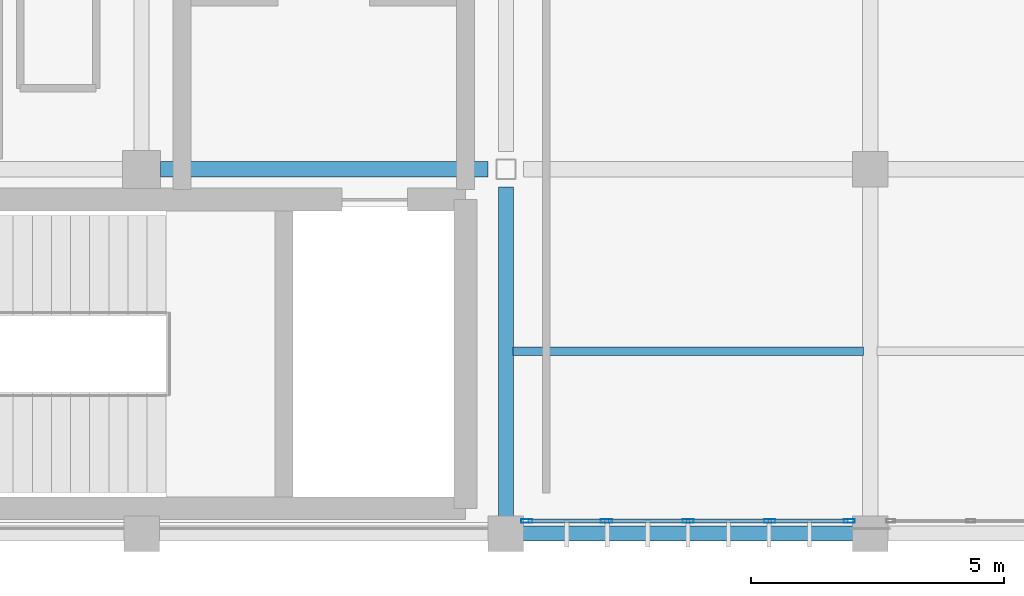
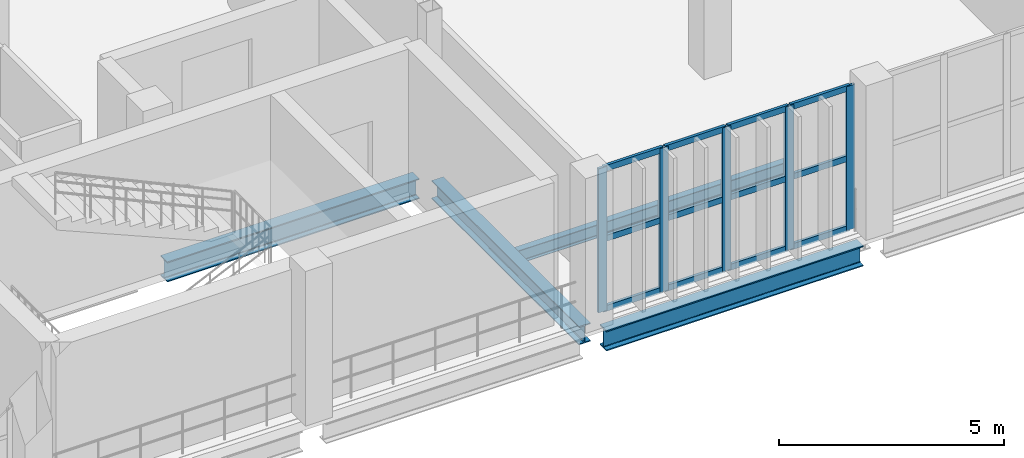
# One storey, part 36 of 130: 17 members, 4 beams, 1 element without a shape of its own.
"""IFC4 building model written with IfcOpenShell, lengths in metres."""

from ifc_helpers import new_model, si_unit, direction, frame, origin, origin_2d, place, context, subcontext, project, spatial, hollow_rectangle, i_section, extrude, material, material_profile, profile_set, type_object, element, aggregate, save


model = new_model("IFC4")

# Units and contexts
model_context = context("Model", 3, precision=1e-05, world=origin(), true_north=direction((0.0, 1.0)))
body_context = subcontext(model_context, "Body", "Model", "MODEL_VIEW")
ifc_project = project(units=[si_unit("LENGTHUNIT", "METRE"), si_unit("AREAUNIT", "SQUARE_METRE"), si_unit("VOLUMEUNIT", "CUBIC_METRE"), si_unit("PLANEANGLEUNIT", "RADIAN"), si_unit("MASSUNIT", "GRAM", prefix="KILO")], contexts=[model_context])

# Site, building, storey
site_placement = place(None, origin())
site = spatial("IfcSite", under=ifc_project, at=site_placement, CompositionType="ELEMENT")
building_placement = place(site_placement, origin())
building = spatial("IfcBuilding", under=site, at=building_placement, Name="Qandorah Velis Arena", CompositionType="ELEMENT")
storey_placement = place(building_placement, frame((0.0, 0.0, 9.60009765625)))
storey = spatial("IfcBuildingStorey", under=building, at=storey_placement, Name="L02", CompositionType="ELEMENT", Elevation=9.60009765625)

# Curtain wall, members
ifc_material_1 = material(Name="Solar-control low-E double glazing", Category="glass")
curtain_wall_type = type_object("IfcCurtainWallType", Name="ARC-CW-SYS17", PredefinedType="USERDEFINED", material=ifc_material_1)
curtain_wall_placement = place(storey_placement, origin())
curtain_wall = element("IfcCurtainWall", 1, at=curtain_wall_placement, inside=storey, type_object=curtain_wall_type, Name="Unitised curtain wall L02-065", ObjectType="UNITISED CURTAIN WALL", PredefinedType="USERDEFINED")
ifc_material_2 = material(Name="Champagne-bronze anodized aluminium 6063-T6", Category="aluminium")
ifc_material_profile_1 = material_profile(ifc_material_2, hollow_rectangle(XDim=0.074951171875, YDim=0.219970703125, WallThickness=0.00390625, at=origin_2d()), Name="ALU MULLION 75x220")
ifc_profile_set_1 = profile_set([ifc_material_profile_1], Name="Champagne-bronze anodized aluminium 6063-T6")
member_type_1 = type_object("IfcMemberType", Name="ARC-CWM-220", PredefinedType="MULLION", material=ifc_profile_set_1)
member_1_placement = place(storey_placement, frame((86.8125, 0.25, -0.01513671875), z_axis=(0.0, 0.0, 1.0), x_axis=(0.0, 1.0, 0.0)))
member_1 = element("IfcMember", 2, at=member_1_placement, type_object=member_type_1, Name="CW17 mullion 1", PredefinedType="MULLION", context=body_context, shape_type="SweptSolid", body=[
    extrude(hollow_rectangle(XDim=0.074951171875, YDim=0.219970703125, WallThickness=0.00390625, at=origin_2d()), origin(), (0.0, 0.0, 1.0), 3.91015625),
])
member_2_placement = place(storey_placement, frame((88.387451171875, 0.25, -0.01513671875), z_axis=(0.0, 0.0, 1.0), x_axis=(0.0, 1.0, 0.0)))
member_2 = element("IfcMember", 3, at=member_2_placement, type_object=member_type_1, Name="CW17 mullion 2", PredefinedType="MULLION", context=body_context, shape_type="SweptSolid", body=[
    extrude(hollow_rectangle(XDim=0.074951171875, YDim=0.219970703125, WallThickness=0.00390625, at=origin_2d()), origin(), (0.0, 0.0, 1.0), 3.91015625),
])
member_3_placement = place(storey_placement, frame((90.0, 0.25, -0.01513671875), z_axis=(0.0, 0.0, 1.0), x_axis=(0.0, 1.0, 0.0)))
member_3 = element("IfcMember", 4, at=member_3_placement, type_object=member_type_1, Name="CW17 mullion 3", PredefinedType="MULLION", context=body_context, shape_type="SweptSolid", body=[
    extrude(hollow_rectangle(XDim=0.074951171875, YDim=0.219970703125, WallThickness=0.00390625, at=origin_2d()), origin(), (0.0, 0.0, 1.0), 3.91015625),
])
member_4_placement = place(storey_placement, frame((91.612548828125, 0.25, -0.01513671875), z_axis=(0.0, 0.0, 1.0), x_axis=(0.0, 1.0, 0.0)))
member_4 = element("IfcMember", 5, at=member_4_placement, type_object=member_type_1, Name="CW17 mullion 4", PredefinedType="MULLION", context=body_context, shape_type="SweptSolid", body=[
    extrude(hollow_rectangle(XDim=0.074951171875, YDim=0.219970703125, WallThickness=0.00390625, at=origin_2d()), origin(), (0.0, 0.0, 1.0), 3.91015625),
])
member_5_placement = place(storey_placement, frame((93.1875, 0.25, -0.01513671875), z_axis=(0.0, 0.0, 1.0), x_axis=(0.0, 1.0, 0.0)))
member_5 = element("IfcMember", 6, at=member_5_placement, type_object=member_type_1, Name="CW17 mullion 5", PredefinedType="MULLION", context=body_context, shape_type="SweptSolid", body=[
    extrude(hollow_rectangle(XDim=0.074951171875, YDim=0.219970703125, WallThickness=0.00390625, at=origin_2d()), origin(), (0.0, 0.0, 1.0), 3.91015625),
])
ifc_material_profile_2 = material_profile(ifc_material_2, hollow_rectangle(XDim=0.074951171875, YDim=0.159912109375, WallThickness=0.00341796875, at=origin_2d()), Name="ALU TRANSOM 75x160")
ifc_profile_set_2 = profile_set([ifc_material_profile_2], Name="Champagne-bronze anodized aluminium 6063-T6")
member_type_2 = type_object("IfcMemberType", Name="ARC-CWT-160", PredefinedType="USERDEFINED", material=ifc_profile_set_2)
member_6_placement = place(storey_placement, frame((86.837890625, 0.25, 0.037353515625), z_axis=(1.0, 0.0, 0.0), x_axis=(0.0, 1.0, 0.0)))
member_6 = element("IfcMember", 7, at=member_6_placement, type_object=member_type_2, Name="CW17 transom 1.1", ObjectType="TRANSOM", PredefinedType="USERDEFINED", context=body_context, shape_type="SweptSolid", body=[
    extrude(hollow_rectangle(XDim=0.074951171875, YDim=0.159912109375, WallThickness=0.00341796875, at=origin_2d()), origin(), (0.0, 0.0, 1.0), 1.524169921875),
])
member_7_placement = place(storey_placement, frame((86.837890625, 0.25, 1.93994140625), z_axis=(1.0, 0.0, 0.0), x_axis=(0.0, 1.0, 0.0)))
member_7 = element("IfcMember", 8, at=member_7_placement, type_object=member_type_2, Name="CW17 transom 1.2", ObjectType="TRANSOM", PredefinedType="USERDEFINED", context=body_context, shape_type="SweptSolid", body=[
    extrude(hollow_rectangle(XDim=0.074951171875, YDim=0.159912109375, WallThickness=0.00341796875, at=origin_2d()), origin(), (0.0, 0.0, 1.0), 1.524169921875),
])
member_8_placement = place(storey_placement, frame((86.837890625, 0.25, 3.84228515625), z_axis=(1.0, 0.0, 0.0), x_axis=(0.0, 1.0, 0.0)))
member_8 = element("IfcMember", 9, at=member_8_placement, type_object=member_type_2, Name="CW17 transom 1.3", ObjectType="TRANSOM", PredefinedType="USERDEFINED", context=body_context, shape_type="SweptSolid", body=[
    extrude(hollow_rectangle(XDim=0.074951171875, YDim=0.159912109375, WallThickness=0.00341796875, at=origin_2d()), origin(), (0.0, 0.0, 1.0), 1.524169921875),
])
member_9_placement = place(storey_placement, frame((88.4130859375, 0.25, 0.037353515625), z_axis=(1.0, 0.0, 0.0), x_axis=(0.0, 1.0, 0.0)))
member_9 = element("IfcMember", 10, at=member_9_placement, type_object=member_type_2, Name="CW17 transom 2.1", ObjectType="TRANSOM", PredefinedType="USERDEFINED", context=body_context, shape_type="SweptSolid", body=[
    extrude(hollow_rectangle(XDim=0.074951171875, YDim=0.159912109375, WallThickness=0.00341796875, at=origin_2d()), origin(), (0.0, 0.0, 1.0), 1.5615234375),
])
member_10_placement = place(storey_placement, frame((88.4130859375, 0.25, 1.93994140625), z_axis=(1.0, 0.0, 0.0), x_axis=(0.0, 1.0, 0.0)))
member_10 = element("IfcMember", 11, at=member_10_placement, type_object=member_type_2, Name="CW17 transom 2.2", ObjectType="TRANSOM", PredefinedType="USERDEFINED", context=body_context, shape_type="SweptSolid", body=[
    extrude(hollow_rectangle(XDim=0.074951171875, YDim=0.159912109375, WallThickness=0.00341796875, at=origin_2d()), origin(), (0.0, 0.0, 1.0), 1.5615234375),
])
member_11_placement = place(storey_placement, frame((88.4130859375, 0.25, 3.84228515625), z_axis=(1.0, 0.0, 0.0), x_axis=(0.0, 1.0, 0.0)))
member_11 = element("IfcMember", 12, at=member_11_placement, type_object=member_type_2, Name="CW17 transom 2.3", ObjectType="TRANSOM", PredefinedType="USERDEFINED", context=body_context, shape_type="SweptSolid", body=[
    extrude(hollow_rectangle(XDim=0.074951171875, YDim=0.159912109375, WallThickness=0.00341796875, at=origin_2d()), origin(), (0.0, 0.0, 1.0), 1.5615234375),
])
member_12_placement = place(storey_placement, frame((90.025390625, 0.25, 0.037353515625), z_axis=(1.0, 0.0, 0.0), x_axis=(0.0, 1.0, 0.0)))
member_12 = element("IfcMember", 13, at=member_12_placement, type_object=member_type_2, Name="CW17 transom 3.1", ObjectType="TRANSOM", PredefinedType="USERDEFINED", context=body_context, shape_type="SweptSolid", body=[
    extrude(hollow_rectangle(XDim=0.074951171875, YDim=0.159912109375, WallThickness=0.00341796875, at=origin_2d()), origin(), (0.0, 0.0, 1.0), 1.5615234375),
])
member_13_placement = place(storey_placement, frame((90.025390625, 0.25, 1.93994140625), z_axis=(1.0, 0.0, 0.0), x_axis=(0.0, 1.0, 0.0)))
member_13 = element("IfcMember", 14, at=member_13_placement, type_object=member_type_2, Name="CW17 transom 3.2", ObjectType="TRANSOM", PredefinedType="USERDEFINED", context=body_context, shape_type="SweptSolid", body=[
    extrude(hollow_rectangle(XDim=0.074951171875, YDim=0.159912109375, WallThickness=0.00341796875, at=origin_2d()), origin(), (0.0, 0.0, 1.0), 1.5615234375),
])
member_14_placement = place(storey_placement, frame((90.025390625, 0.25, 3.84228515625), z_axis=(1.0, 0.0, 0.0), x_axis=(0.0, 1.0, 0.0)))
member_14 = element("IfcMember", 15, at=member_14_placement, type_object=member_type_2, Name="CW17 transom 3.3", ObjectType="TRANSOM", PredefinedType="USERDEFINED", context=body_context, shape_type="SweptSolid", body=[
    extrude(hollow_rectangle(XDim=0.074951171875, YDim=0.159912109375, WallThickness=0.00341796875, at=origin_2d()), origin(), (0.0, 0.0, 1.0), 1.5615234375),
])
member_15_placement = place(storey_placement, frame((91.637939453125, 0.25, 0.037353515625), z_axis=(1.0, 0.0, 0.0), x_axis=(0.0, 1.0, 0.0)))
member_15 = element("IfcMember", 16, at=member_15_placement, type_object=member_type_2, Name="CW17 transom 4.1", ObjectType="TRANSOM", PredefinedType="USERDEFINED", context=body_context, shape_type="SweptSolid", body=[
    extrude(hollow_rectangle(XDim=0.074951171875, YDim=0.159912109375, WallThickness=0.00341796875, at=origin_2d()), origin(), (0.0, 0.0, 1.0), 1.524169921875),
])
member_16_placement = place(storey_placement, frame((91.637939453125, 0.25, 1.93994140625), z_axis=(1.0, 0.0, 0.0), x_axis=(0.0, 1.0, 0.0)))
member_16 = element("IfcMember", 17, at=member_16_placement, type_object=member_type_2, Name="CW17 transom 4.2", ObjectType="TRANSOM", PredefinedType="USERDEFINED", context=body_context, shape_type="SweptSolid", body=[
    extrude(hollow_rectangle(XDim=0.074951171875, YDim=0.159912109375, WallThickness=0.00341796875, at=origin_2d()), origin(), (0.0, 0.0, 1.0), 1.524169921875),
])
member_17_placement = place(storey_placement, frame((91.637939453125, 0.25, 3.84228515625), z_axis=(1.0, 0.0, 0.0), x_axis=(0.0, 1.0, 0.0)))
member_17 = element("IfcMember", 18, at=member_17_placement, type_object=member_type_2, Name="CW17 transom 4.3", ObjectType="TRANSOM", PredefinedType="USERDEFINED", context=body_context, shape_type="SweptSolid", body=[
    extrude(hollow_rectangle(XDim=0.074951171875, YDim=0.159912109375, WallThickness=0.00341796875, at=origin_2d()), origin(), (0.0, 0.0, 1.0), 1.524169921875),
])
aggregate(curtain_wall, [member_1, member_2, member_3, member_4, member_5, member_6, member_7, member_8, member_9, member_10, member_11, member_12, member_13, member_14, member_15, member_16, member_17])

# Beams
ifc_material_3 = material(Name="Steel S355", Category="steel")
ifc_material_profile_3 = material_profile(ifc_material_3, i_section(OverallWidth=0.300048828125, OverallDepth=0.5, WebThickness=0.014404296875, FlangeThickness=0.028076171875, FilletRadius=0.027099609375, at=origin_2d()), Name="HEB 500")
ifc_profile_set_3 = profile_set([ifc_material_profile_3], Name="Steel S355")
beam_type_1 = type_object("IfcBeamType", Name="STR-BM-HEB500", PredefinedType="BEAM", material=ifc_profile_set_3)
beam_1_placement = place(storey_placement, frame((86.39990234375, 0.300048828125, -0.530029296875), z_axis=(0.0, 1.0, 0.0), x_axis=(-1.0, 0.0, 0.0)))
element("IfcBeam", 19, at=beam_1_placement, inside=storey, type_object=beam_type_1, Name="Primary floor girder L02 Y-274", PredefinedType="BEAM", context=body_context, shape_type="SweptSolid", body=[
    extrude(i_section(OverallWidth=0.300048828125, OverallDepth=0.5, WebThickness=0.014404296875, FlangeThickness=0.028076171875, FilletRadius=0.027099609375, at=origin_2d()), origin(), (0.0, 0.0, 1.0), 6.550048828125),
])
ifc_material_profile_4 = material_profile(ifc_material_3, i_section(OverallWidth=0.300048828125, OverallDepth=0.550048828125, WebThickness=0.014892578125, FlangeThickness=0.029052734375, FilletRadius=0.027099609375, at=origin_2d()), Name="HEB 550")
ifc_profile_set_4 = profile_set([ifc_material_profile_4], Name="Steel S355")
beam_type_2 = type_object("IfcBeamType", Name="STR-BM-HEB550", PredefinedType="BEAM", material=ifc_profile_set_4)
beam_2_placement = place(storey_placement, frame((86.699951171875, 0.0, -0.55517578125), z_axis=(1.0, 0.0, 0.0), x_axis=(0.0, 1.0, 0.0)))
element("IfcBeam", 20, at=beam_2_placement, inside=storey, type_object=beam_type_2, Name="Primary floor girder L02 X-009", PredefinedType="BEAM", context=body_context, shape_type="SweptSolid", body=[
    extrude(i_section(OverallWidth=0.300048828125, OverallDepth=0.550048828125, WebThickness=0.014892578125, FlangeThickness=0.029052734375, FilletRadius=0.027099609375, at=origin_2d()), origin(), (0.0, 0.0, 1.0), 6.60009765625),
])
beam_3_placement = place(storey_placement, frame((79.574951171875, 7.199951171875, -0.55517578125), z_axis=(1.0, 0.0, 0.0), x_axis=(0.0, 1.0, 0.0)))
element("IfcBeam", 21, at=beam_3_placement, inside=storey, type_object=beam_type_2, Name="Primary floor girder L02 X-020", PredefinedType="BEAM", context=body_context, shape_type="SweptSolid", body=[
    extrude(i_section(OverallWidth=0.300048828125, OverallDepth=0.550048828125, WebThickness=0.014892578125, FlangeThickness=0.029052734375, FilletRadius=0.027099609375, at=origin_2d()), origin(), (0.0, 0.0, 1.0), 6.47509765625),
])
ifc_material_profile_5 = material_profile(ifc_material_3, i_section(OverallWidth=0.169921875, OverallDepth=0.360107421875, WebThickness=0.008056640625, FlangeThickness=0.0126953125, FilletRadius=0.01806640625, at=origin_2d()), Name="IPE 360")
ifc_profile_set_5 = profile_set([ifc_material_profile_5], Name="Steel S355")
beam_type_3 = type_object("IfcBeamType", Name="STR-JST-IPE360", PredefinedType="JOIST", material=ifc_profile_set_5)
beam_4_placement = place(storey_placement, frame((86.534912109375, 3.60009765625, -0.460205078125), z_axis=(1.0, 0.0, 0.0), x_axis=(0.0, 1.0, 0.0)))
element("IfcBeam", 22, at=beam_4_placement, inside=storey, type_object=beam_type_3, Name="Secondary floor joist L02-063", PredefinedType="JOIST", context=body_context, shape_type="SweptSolid", body=[
    extrude(i_section(OverallWidth=0.169921875, OverallDepth=0.360107421875, WebThickness=0.008056640625, FlangeThickness=0.0126953125, FilletRadius=0.01806640625, at=origin_2d()), origin(), (0.0, 0.0, 1.0), 6.93017578125),
])

save(model, "model.ifc")
